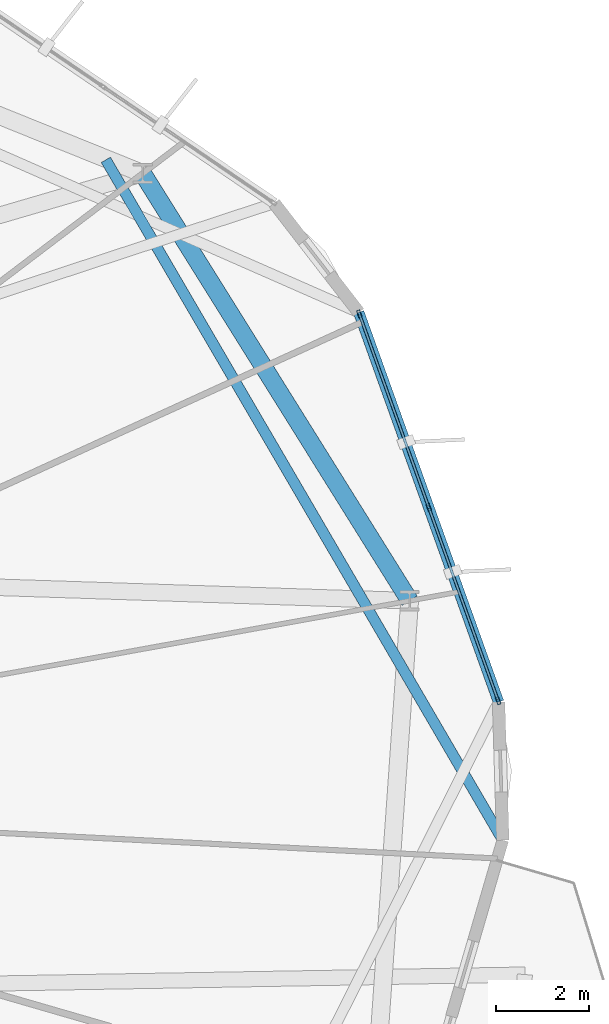
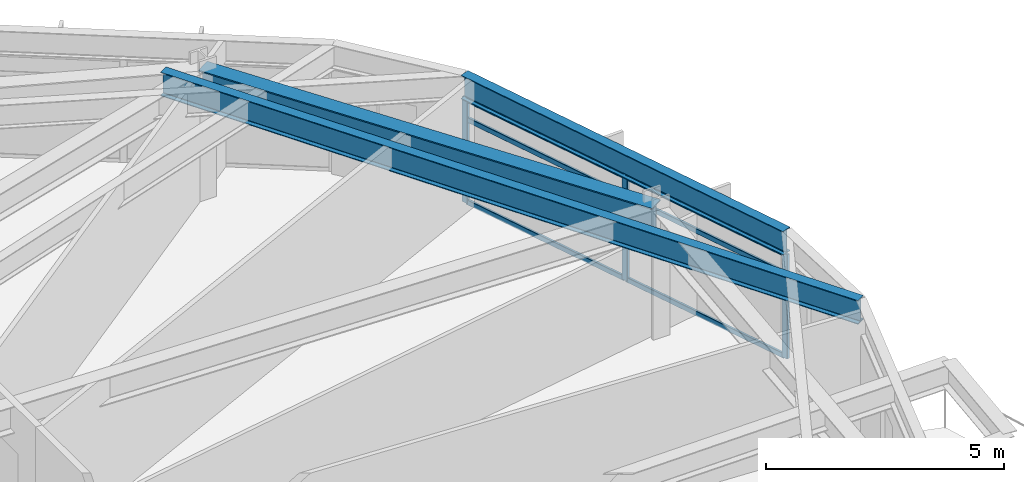
# One storey, part 11 of 23: 9 members, 3 beams, 1 element without a shape of its own.
"""IFC4 building model written with IfcOpenShell, lengths in metres."""

from ifc_helpers import new_model, si_unit, direction, frame, origin, origin_2d, place, context, subcontext, project, spatial, hollow_rectangle, i_section, extrude, material, layer, layer_set, material_profile, profile_set, type_object, element, aggregate, save


model = new_model("IFC4")

# Units and contexts
model_context = context("Model", 3, precision=1e-05, world=origin(), true_north=direction((0.0, 1.0)))
body_context = subcontext(model_context, "Body", "Model", "MODEL_VIEW")
ifc_project = project(units=[si_unit("LENGTHUNIT", "METRE"), si_unit("AREAUNIT", "SQUARE_METRE"), si_unit("VOLUMEUNIT", "CUBIC_METRE"), si_unit("PLANEANGLEUNIT", "RADIAN"), si_unit("MASSUNIT", "GRAM", prefix="KILO")], contexts=[model_context])

# Site, building, storey
site_placement = place(None, origin())
site = spatial("IfcSite", under=ifc_project, at=site_placement, CompositionType="ELEMENT")
building_placement = place(site_placement, origin())
building = spatial("IfcBuilding", under=site, at=building_placement, Name="Soratama Intermodal Tower", CompositionType="ELEMENT")
storey_placement = place(building_placement, frame((0.0, 0.0, 171.39990234375)))
storey = spatial("IfcBuildingStorey", under=building, at=storey_placement, Name="L42", CompositionType="ELEMENT", Elevation=171.39990234375)

# Beams
ifc_material_1 = material(Name="Structural steel ASTM A992 Grade 50", Category="steel")
ifc_material_profile_1 = material_profile(ifc_material_1, i_section(OverallWidth=0.382080078125, OverallDepth=0.779052734375, WebThickness=0.01806640625, FlangeThickness=0.030029296875, FilletRadius=0.01806640625, at=origin_2d()), Name="W30X191")
ifc_profile_set_1 = profile_set([ifc_material_profile_1], Name="Structural steel ASTM A992 Grade 50")
beam_type_1 = type_object("IfcBeamType", Name="BM-RING-W30X191", PredefinedType="BEAM", material=ifc_profile_set_1)
beam_1_placement = place(storey_placement, frame((61.97998046875, 29.23388671875, 2.91064453125), z_axis=(-0.529891394359, 0.84806551055, 0.0), x_axis=(-0.84806551055, -0.529891394359, 0.0)))
element("IfcBeam", 1, at=beam_1_placement, inside=storey, type_object=beam_type_1, Name="BM-L42-RING-01", PredefinedType="BEAM", context=body_context, shape_type="SweptSolid", body=[
    extrude(i_section(OverallWidth=0.382080078125, OverallDepth=0.779052734375, WebThickness=0.01806640625, FlangeThickness=0.030029296875, FilletRadius=0.01806640625, at=origin_2d()), origin(), (0.0, 0.0, 1.0), 10.8154296875),
])
ifc_material_2 = material(Name="Structural steel ASTM A992 Grade 50", Category="steel")
ifc_material_profile_2 = material_profile(ifc_material_2, i_section(OverallWidth=0.22900390625, OverallDepth=0.612060546875, WebThickness=0.011962890625, FlangeThickness=0.01953125, FilletRadius=0.012939453125, at=origin_2d()), Name="W24X84")
ifc_profile_set_2 = profile_set([ifc_material_profile_2], Name="Structural steel ASTM A992 Grade 50")
beam_type_2 = type_object("IfcBeamType", Name="BM-SPN-W24X84", PredefinedType="SPANDREL", material=ifc_profile_set_2)
beam_2_placement = place(storey_placement, frame((63.889892578125, 27.05810546875, 2.994140625), z_axis=(-0.33771622403, 0.941247975842, 0.0), x_axis=(-0.941247975842, -0.33771622403, 0.0)))
element("IfcBeam", 2, at=beam_2_placement, inside=storey, type_object=beam_type_2, Name="BS-L42-F10", PredefinedType="SPANDREL", context=body_context, shape_type="SweptSolid", body=[
    extrude(i_section(OverallWidth=0.22900390625, OverallDepth=0.612060546875, WebThickness=0.011962890625, FlangeThickness=0.01953125, FilletRadius=0.012939453125, at=origin_2d()), origin(), (0.0, 0.0, 1.0), 8.885986328125),
])
ifc_material_3 = material(Name="Structural steel ASTM A992 Grade 50", Category="steel")
ifc_material_profile_3 = material_profile(ifc_material_3, i_section(OverallWidth=0.22900390625, OverallDepth=0.612060546875, WebThickness=0.011962890625, FlangeThickness=0.01953125, FilletRadius=0.012939453125, at=origin_2d()), Name="W24X84")
ifc_profile_set_3 = profile_set([ifc_material_profile_3], Name="Structural steel ASTM A992 Grade 50")
beam_type_3 = type_object("IfcBeamType", Name="BM-TIE-W24X84", PredefinedType="BEAM", material=ifc_profile_set_3)
beam_3_placement = place(storey_placement, frame((55.4580078125, 38.698974609375, 2.994140625), z_axis=(0.503951812905, -0.863731769863, 0.0), x_axis=(0.863731769863, 0.503951812905, 0.0)))
element("IfcBeam", 3, at=beam_3_placement, inside=storey, type_object=beam_type_3, Name="BM-L42-TIE1-09", PredefinedType="BEAM", context=body_context, shape_type="SweptSolid", body=[
    extrude(i_section(OverallWidth=0.22900390625, OverallDepth=0.612060546875, WebThickness=0.011962890625, FlangeThickness=0.01953125, FilletRadius=0.012939453125, at=origin_2d()), origin(), (0.0, 0.0, 1.0), 16.910400390625),
])

# Curtain wall, members
ifc_material_4 = material(Name="Double-glazed aluminium curtain wall", Category="aluminium")
ifc_layer = layer(ifc_material_4, 0.159912109375)
ifc_layer_set = layer_set([ifc_layer], Name="Double-glazed aluminium curtain wall")
curtain_wall_type = type_object("IfcCurtainWallType", Name="CW-SYS-4", PredefinedType="NOTDEFINED", material=ifc_layer_set)
curtain_wall_placement = place(storey_placement, origin())
curtain_wall = element("IfcCurtainWall", 4, at=curtain_wall_placement, inside=storey, type_object=curtain_wall_type, Name="L42 Faceted Curtain Wall F10", PredefinedType="NOTDEFINED")
ifc_material_5 = material(Name="Anodised aluminium AA 6063-T6", Category="aluminium")
ifc_material_profile_4 = material_profile(ifc_material_5, hollow_rectangle(XDim=0.070068359375, YDim=0.159912109375, WallThickness=0.0048828125, InnerFilletRadius=0.0048828125, OuterFilletRadius=0.010009765625, at=origin_2d()), Name="CWM160X70X5")
ifc_profile_set_4 = profile_set([ifc_material_profile_4], Name="Anodised aluminium AA 6063-T6")
member_type_1 = type_object("IfcMemberType", Name="MT-CWM-4", PredefinedType="MULLION", material=ifc_profile_set_4)
member_1_placement = place(storey_placement, frame((63.880126953125, 27.0859375, 0.0), z_axis=(0.0, 0.0, 1.0), x_axis=(-0.94123549358, -0.337751011288, 0.0)))
member_1 = element("IfcMember", 5, at=member_1_placement, type_object=member_type_1, Name="CW-4 mullion 1", PredefinedType="MULLION", context=body_context, shape_type="SweptSolid", body=[
    extrude(hollow_rectangle(XDim=0.070068359375, YDim=0.159912109375, WallThickness=0.0048828125, InnerFilletRadius=0.0048828125, OuterFilletRadius=0.010009765625, at=origin_2d()), origin(), (0.0, 0.0, 1.0), 2.67919921875),
])
member_2_placement = place(storey_placement, frame((62.3896484375, 31.239990234375, 0.0), z_axis=(0.0, 0.0, 1.0), x_axis=(-0.94123549358, -0.337751011288, 0.0)))
member_2 = element("IfcMember", 6, at=member_2_placement, type_object=member_type_1, Name="CW-4 mullion 2", PredefinedType="MULLION", context=body_context, shape_type="SweptSolid", body=[
    extrude(hollow_rectangle(XDim=0.070068359375, YDim=0.159912109375, WallThickness=0.0048828125, InnerFilletRadius=0.0048828125, OuterFilletRadius=0.010009765625, at=origin_2d()), origin(), (0.0, 0.0, 1.0), 2.67919921875),
])
member_3_placement = place(storey_placement, frame((60.89892578125, 35.39404296875, 0.0), z_axis=(0.0, 0.0, 1.0), x_axis=(-0.94123549358, -0.337751011288, 0.0)))
member_3 = element("IfcMember", 7, at=member_3_placement, type_object=member_type_1, Name="CW-4 mullion 3", PredefinedType="MULLION", context=body_context, shape_type="SweptSolid", body=[
    extrude(hollow_rectangle(XDim=0.070068359375, YDim=0.159912109375, WallThickness=0.0048828125, InnerFilletRadius=0.0048828125, OuterFilletRadius=0.010009765625, at=origin_2d()), origin(), (0.0, 0.0, 1.0), 2.67919921875),
])
ifc_material_6 = material(Name="Anodised aluminium AA 6063-T6", Category="aluminium")
ifc_material_profile_5 = material_profile(ifc_material_6, hollow_rectangle(XDim=0.06005859375, YDim=0.1298828125, WallThickness=0.0048828125, InnerFilletRadius=0.0048828125, OuterFilletRadius=0.010009765625, at=origin_2d()), Name="CWT130X60X5")
ifc_profile_set_5 = profile_set([ifc_material_profile_5], Name="Anodised aluminium AA 6063-T6")
member_type_2 = type_object("IfcMemberType", Name="TT-CWT-2", PredefinedType="USERDEFINED", material=ifc_profile_set_5)
member_4_placement = place(storey_placement, frame((63.8701171875, 27.1142578125, 0.030029296875), z_axis=(-0.337764122931, 0.941230788522, 0.0), x_axis=(-0.941230788522, -0.337764122931, 0.0)))
member_4 = element("IfcMember", 8, at=member_4_placement, type_object=member_type_2, Name="CW-4 transom 1.1", ObjectType="TRANSOM", PredefinedType="USERDEFINED", context=body_context, shape_type="SweptSolid", body=[
    extrude(hollow_rectangle(XDim=0.06005859375, YDim=0.1298828125, WallThickness=0.0048828125, InnerFilletRadius=0.0048828125, OuterFilletRadius=0.010009765625, at=origin_2d()), origin(), (0.0, 0.0, 1.0), 4.353515625),
])
member_5_placement = place(storey_placement, frame((63.8701171875, 27.1142578125, 2.150146484375), z_axis=(-0.337764122931, 0.941230788522, 0.0), x_axis=(-0.941230788522, -0.337764122931, 0.0)))
member_5 = element("IfcMember", 9, at=member_5_placement, type_object=member_type_2, Name="CW-4 transom 1.2", ObjectType="TRANSOM", PredefinedType="USERDEFINED", context=body_context, shape_type="SweptSolid", body=[
    extrude(hollow_rectangle(XDim=0.06005859375, YDim=0.1298828125, WallThickness=0.0048828125, InnerFilletRadius=0.0048828125, OuterFilletRadius=0.010009765625, at=origin_2d()), origin(), (0.0, 0.0, 1.0), 4.353515625),
])
member_6_placement = place(storey_placement, frame((63.8701171875, 27.1142578125, 2.649169921875), z_axis=(-0.337764122931, 0.941230788522, 0.0), x_axis=(-0.941230788522, -0.337764122931, 0.0)))
member_6 = element("IfcMember", 10, at=member_6_placement, type_object=member_type_2, Name="CW-4 transom 1.3", ObjectType="TRANSOM", PredefinedType="USERDEFINED", context=body_context, shape_type="SweptSolid", body=[
    extrude(hollow_rectangle(XDim=0.06005859375, YDim=0.1298828125, WallThickness=0.0048828125, InnerFilletRadius=0.0048828125, OuterFilletRadius=0.010009765625, at=origin_2d()), origin(), (0.0, 0.0, 1.0), 4.353515625),
])
member_7_placement = place(storey_placement, frame((62.37939453125, 31.268310546875, 0.030029296875), z_axis=(-0.337732267473, 0.941242219361, 0.0), x_axis=(-0.941242219361, -0.337732267473, 0.0)))
member_7 = element("IfcMember", 11, at=member_7_placement, type_object=member_type_2, Name="CW-4 transom 2.1", ObjectType="TRANSOM", PredefinedType="USERDEFINED", context=body_context, shape_type="SweptSolid", body=[
    extrude(hollow_rectangle(XDim=0.06005859375, YDim=0.1298828125, WallThickness=0.0048828125, InnerFilletRadius=0.0048828125, OuterFilletRadius=0.010009765625, at=origin_2d()), origin(), (0.0, 0.0, 1.0), 4.353271484375),
])
member_8_placement = place(storey_placement, frame((62.37939453125, 31.268310546875, 2.150146484375), z_axis=(-0.337732267473, 0.941242219361, 0.0), x_axis=(-0.941242219361, -0.337732267473, 0.0)))
member_8 = element("IfcMember", 12, at=member_8_placement, type_object=member_type_2, Name="CW-4 transom 2.2", ObjectType="TRANSOM", PredefinedType="USERDEFINED", context=body_context, shape_type="SweptSolid", body=[
    extrude(hollow_rectangle(XDim=0.06005859375, YDim=0.1298828125, WallThickness=0.0048828125, InnerFilletRadius=0.0048828125, OuterFilletRadius=0.010009765625, at=origin_2d()), origin(), (0.0, 0.0, 1.0), 4.353271484375),
])
member_9_placement = place(storey_placement, frame((62.37939453125, 31.268310546875, 2.649169921875), z_axis=(-0.337732267473, 0.941242219361, 0.0), x_axis=(-0.941242219361, -0.337732267473, 0.0)))
member_9 = element("IfcMember", 13, at=member_9_placement, type_object=member_type_2, Name="CW-4 transom 2.3", ObjectType="TRANSOM", PredefinedType="USERDEFINED", context=body_context, shape_type="SweptSolid", body=[
    extrude(hollow_rectangle(XDim=0.06005859375, YDim=0.1298828125, WallThickness=0.0048828125, InnerFilletRadius=0.0048828125, OuterFilletRadius=0.010009765625, at=origin_2d()), origin(), (0.0, 0.0, 1.0), 4.353271484375),
])
aggregate(curtain_wall, [member_1, member_2, member_3, member_4, member_5, member_6, member_7, member_8, member_9])

save(model, "model.ifc")
